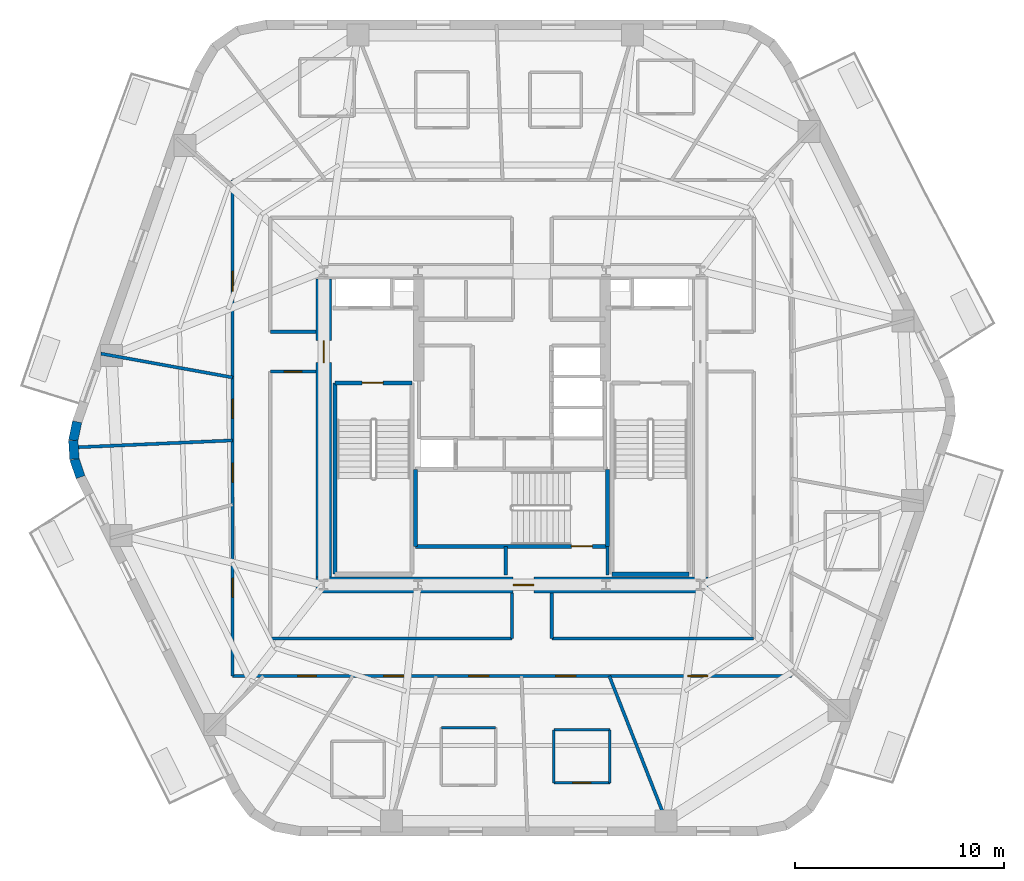
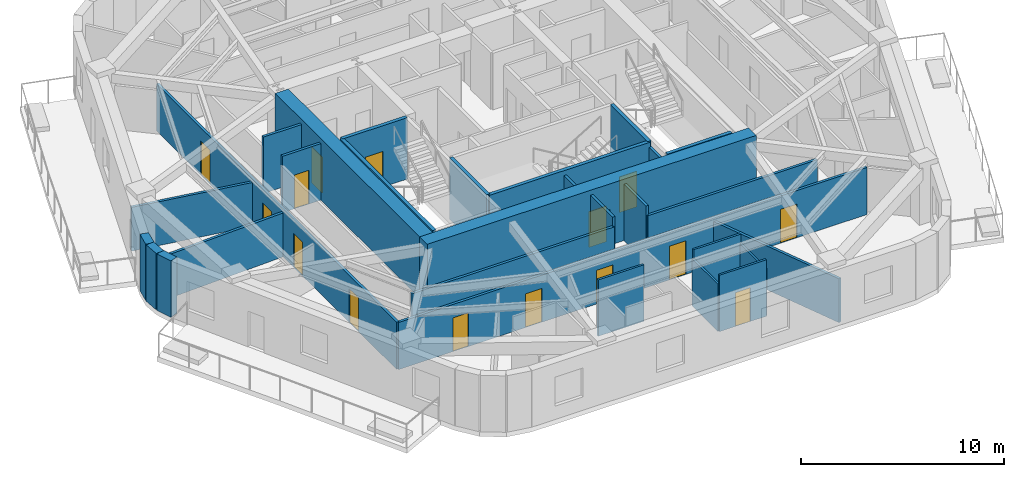
# One storey, part 3 of 10: 29 walls, 15 doors, 15 openings.
"""IFC4 building model written with IfcOpenShell, lengths in metres."""

from ifc_helpers import new_model, si_unit, direction, frame, frame_2d, origin, place, context, subcontext, project, spatial, rectangle, extrude, material, layer, layer_set, type_object, element, fill, save


model = new_model("IFC4")

# Units and contexts
model_context = context("Model", 3, precision=1e-05, world=origin(), true_north=direction((0.0, 1.0)))
body_context = subcontext(model_context, "Body", "Model", "MODEL_VIEW")
ifc_project = project(units=[si_unit("LENGTHUNIT", "METRE"), si_unit("AREAUNIT", "SQUARE_METRE"), si_unit("VOLUMEUNIT", "CUBIC_METRE"), si_unit("PLANEANGLEUNIT", "RADIAN"), si_unit("MASSUNIT", "GRAM", prefix="KILO")], contexts=[model_context])

# Site, building, storey
site_placement = place(None, origin())
site = spatial("IfcSite", under=ifc_project, at=site_placement, CompositionType="ELEMENT")
building_placement = place(site_placement, origin())
building = spatial("IfcBuilding", under=site, at=building_placement, Name="Kilnhurst Terrace Hotel", CompositionType="ELEMENT")
storey_placement = place(building_placement, frame((0.0, 0.0, 183.0)))
storey = spatial("IfcBuildingStorey", under=building, at=storey_placement, Name="L45", CompositionType="ELEMENT", Elevation=183.0)

# Walls
ifc_material_1 = material(Name="Precast concrete C40/50", Category="concrete")
ifc_layer_1 = layer(ifc_material_1, 0.449951171875, Name="Precast concrete C40/50")
ifc_layer_set_1 = layer_set([ifc_layer_1], Name="Precast concrete C40/50")
wall_type_1 = type_object("IfcWallType", Name="WL-BRK-450", PredefinedType="SOLIDWALL", material=ifc_layer_set_1)
wall_1_placement = place(storey_placement, frame((-20.78173828125, 0.298095703125, 0.0), z_axis=(0.0, 0.0, 1.0), x_axis=(-0.202570068411, -0.979267771033, 0.0)))
element("IfcWall", 1, at=wall_1_placement, inside=storey, type_object=wall_type_1, Name="L45 Rounded Corner Brick Wall C6.1", PredefinedType="SOLIDWALL", context=body_context, shape_type="SweptSolid", body=[
    extrude(rectangle(XDim=0.90869140625, YDim=0.449951171875, at=frame_2d((0.454345703125, 0.0))), origin(), (0.0, 0.0, 1.0), 3.39990234375),
])
wall_2_placement = place(storey_placement, frame((-20.9658203125, -0.591796875, 0.0), z_axis=(0.0, 0.0, 1.0), x_axis=(0.061748898935, -0.998091715966, 0.0)))
element("IfcWall", 2, at=wall_2_placement, inside=storey, type_object=wall_type_1, Name="L45 Rounded Corner Brick Wall C6.2", PredefinedType="SOLIDWALL", context=body_context, shape_type="SweptSolid", body=[
    extrude(rectangle(XDim=0.8935546875, YDim=0.449951171875, at=frame_2d((0.44677734375, 0.0))), origin(), (0.0, 0.0, 1.0), 3.39990234375),
])
wall_3_placement = place(storey_placement, frame((-20.91064453125, -1.483642578125, 0.0), z_axis=(0.0, 0.0, 1.0), x_axis=(0.321623334353, -0.946867694453, 0.0)))
element("IfcWall", 3, at=wall_3_placement, inside=storey, type_object=wall_type_1, Name="L45 Rounded Corner Brick Wall C6.3", PredefinedType="SOLIDWALL", context=body_context, shape_type="SweptSolid", body=[
    extrude(rectangle(XDim=0.90869140625, YDim=0.449951171875, at=frame_2d((0.454345703125, 0.0))), origin(), (0.0, 0.0, 1.0), 3.39990234375),
])

# Wall, openings, doors
ifc_material_2 = material(Name="Acoustic Double-Gypsum Corridor Partition Assembly")
ifc_layer_2 = layer(ifc_material_2, 0.14990234375, Name="Acoustic Double-Gypsum Corridor Partition Assembly")
ifc_layer_set_2 = layer_set([ifc_layer_2], Name="Acoustic Double-Gypsum Corridor Partition Assembly")
wall_type_2 = type_object("IfcWallType", Name="WL-COR-150", PredefinedType="PARTITIONING", material=ifc_layer_set_2)
wall_4_placement = place(storey_placement, frame((13.35009765625, -11.85009765625, 0.0), z_axis=(0.0, 0.0, 1.0), x_axis=(-1.0, 0.0, 0.0)))
wall_4 = element("IfcWall", 4, at=wall_4_placement, inside=storey, type_object=wall_type_2, Name="L45 Interior Wall WL-L45-COR-01", PredefinedType="PARTITIONING", context=body_context, shape_type="SweptSolid", body=[
    extrude(rectangle(XDim=26.7001953125, YDim=0.14990234375, at=frame_2d((13.35009765625, 0.0))), origin(), (0.0, 0.0, 1.0), 2.840087890625),
])
opening_1_placement = place(wall_4_placement, frame((22.699951171875, 0.0, 0.0)))
opening_1 = element("IfcOpeningElement", 5, at=opening_1_placement, cuts=wall_4, Name="Opening D-60C", PredefinedType="OPENING", context=body_context, shape_type="SweptSolid", body=[
    extrude(rectangle(XDim=0.89990234375, YDim=2.030029296875, at=frame_2d((0.449951171875, 1.01513671875))), frame((0.0, 0.0849609375, 0.0), z_axis=(0.0, -1.0, 0.0), x_axis=(1.0, 0.0, 0.0)), (0.0, 0.0, 1.0), 0.169921875),
])
opening_2_placement = place(wall_4_placement, frame((18.52294921875, 0.0, 0.0)))
opening_2 = element("IfcOpeningElement", 6, at=opening_2_placement, cuts=wall_4, Name="Opening D-60B", PredefinedType="OPENING", context=body_context, shape_type="SweptSolid", body=[
    extrude(rectangle(XDim=0.949951171875, YDim=2.030029296875, at=frame_2d((0.47509765625, 1.01513671875))), frame((0.0, 0.0849609375, 0.0), z_axis=(0.0, -1.0, 0.0), x_axis=(1.0, 0.0, 0.0)), (0.0, 0.0, 1.0), 0.169921875),
])
opening_3_placement = place(wall_4_placement, frame((14.468994140625, 0.0, 0.0)))
opening_3 = element("IfcOpeningElement", 7, at=opening_3_placement, cuts=wall_4, Name="Opening D-60B", PredefinedType="OPENING", context=body_context, shape_type="SweptSolid", body=[
    extrude(rectangle(XDim=0.949951171875, YDim=2.030029296875, at=frame_2d((0.47509765625, 1.01513671875))), frame((0.0, 0.0849609375, 0.0), z_axis=(0.0, -1.0, 0.0), x_axis=(1.0, 0.0, 0.0)), (0.0, 0.0, 1.0), 0.169921875),
])
opening_4_placement = place(wall_4_placement, frame((10.31396484375, 0.0, 0.0)))
opening_4 = element("IfcOpeningElement", 8, at=opening_4_placement, cuts=wall_4, Name="Opening D-60B", PredefinedType="OPENING", context=body_context, shape_type="SweptSolid", body=[
    extrude(rectangle(XDim=0.949951171875, YDim=2.030029296875, at=frame_2d((0.47509765625, 1.01513671875))), frame((0.0, 0.0849609375, 0.0), z_axis=(0.0, -1.0, 0.0), x_axis=(1.0, 0.0, 0.0)), (0.0, 0.0, 1.0), 0.169921875),
])
opening_5_placement = place(wall_4_placement, frame((3.9951171875, 0.0, 0.0)))
opening_5 = element("IfcOpeningElement", 9, at=opening_5_placement, cuts=wall_4, Name="Opening D-60B", PredefinedType="OPENING", context=body_context, shape_type="SweptSolid", body=[
    extrude(rectangle(XDim=0.949951171875, YDim=2.030029296875, at=frame_2d((0.47509765625, 1.01513671875))), frame((0.0, 0.0849609375, 0.0), z_axis=(0.0, -1.0, 0.0), x_axis=(1.0, 0.0, 0.0)), (0.0, 0.0, 1.0), 0.169921875),
])
ifc_material_3 = material(Name="Painted Solid-Core Service Fire Door")
door_type_1 = type_object("IfcDoorType", Name="DR-FD60-900", OperationType="NOTDEFINED", PredefinedType="DOOR", material=ifc_material_3)
door_1_placement = place(opening_1_placement, origin())
door_1 = element("IfcDoor", 10, at=door_1_placement, inside=storey, type_object=door_type_1, Name="L45 Executive Work Office Door 13", OperationType="SINGLE_SWING_LEFT", OverallHeight=2.030029296875, OverallWidth=0.89990234375, PredefinedType="DOOR", context=body_context, shape_type="SweptSolid", body=[
    extrude(rectangle(XDim=0.89990234375, YDim=2.030029296875, at=frame_2d((0.449951171875, 1.01513671875))), frame((0.0, 0.02490234375, 0.0), z_axis=(0.0, -1.0, 0.0), x_axis=(1.0, 0.0, 0.0)), (0.0, 0.0, 1.0), 0.050048828125),
])
fill(opening_1, door_1)
ifc_material_4 = material(Name="Acoustic Walnut Veneer Solid-Core Fire Door")
door_type_2 = type_object("IfcDoorType", Name="DR-FD60-950", OperationType="NOTDEFINED", PredefinedType="DOOR", material=ifc_material_4)
door_2_placement = place(opening_2_placement, origin())
door_2 = element("IfcDoor", 11, at=door_2_placement, inside=storey, type_object=door_type_2, Name="L45 Guest Room Entry Door 14", OperationType="SINGLE_SWING_RIGHT", OverallHeight=2.030029296875, OverallWidth=0.949951171875, PredefinedType="DOOR", context=body_context, shape_type="SweptSolid", body=[
    extrude(rectangle(XDim=0.949951171875, YDim=2.030029296875, at=frame_2d((0.47509765625, 1.01513671875))), frame((0.0, 0.02490234375, 0.0), z_axis=(0.0, -1.0, 0.0), x_axis=(1.0, 0.0, 0.0)), (0.0, 0.0, 1.0), 0.050048828125),
])
fill(opening_2, door_2)
door_3_placement = place(opening_3_placement, origin())
door_3 = element("IfcDoor", 12, at=door_3_placement, inside=storey, type_object=door_type_2, Name="L45 Guest Room Entry Door 15", OperationType="SINGLE_SWING_LEFT", OverallHeight=2.030029296875, OverallWidth=0.949951171875, PredefinedType="DOOR", context=body_context, shape_type="SweptSolid", body=[
    extrude(rectangle(XDim=0.949951171875, YDim=2.030029296875, at=frame_2d((0.47509765625, 1.01513671875))), frame((0.0, 0.02490234375, 0.0), z_axis=(0.0, -1.0, 0.0), x_axis=(1.0, 0.0, 0.0)), (0.0, 0.0, 1.0), 0.050048828125),
])
fill(opening_3, door_3)
door_4_placement = place(opening_4_placement, origin())
door_4 = element("IfcDoor", 13, at=door_4_placement, inside=storey, type_object=door_type_2, Name="L45 Guest Room Entry Door 16", OperationType="SINGLE_SWING_RIGHT", OverallHeight=2.030029296875, OverallWidth=0.949951171875, PredefinedType="DOOR", context=body_context, shape_type="SweptSolid", body=[
    extrude(rectangle(XDim=0.949951171875, YDim=2.030029296875, at=frame_2d((0.47509765625, 1.01513671875))), frame((0.0, 0.02490234375, 0.0), z_axis=(0.0, -1.0, 0.0), x_axis=(1.0, 0.0, 0.0)), (0.0, 0.0, 1.0), 0.050048828125),
])
fill(opening_4, door_4)
door_5_placement = place(opening_5_placement, origin())
door_5 = element("IfcDoor", 14, at=door_5_placement, inside=storey, type_object=door_type_2, Name="L45 Wellness Spa Room Door", OperationType="SINGLE_SWING_LEFT", OverallHeight=2.030029296875, OverallWidth=0.949951171875, PredefinedType="DOOR", context=body_context, shape_type="SweptSolid", body=[
    extrude(rectangle(XDim=0.949951171875, YDim=2.030029296875, at=frame_2d((0.47509765625, 1.01513671875))), frame((0.0, 0.02490234375, 0.0), z_axis=(0.0, -1.0, 0.0), x_axis=(1.0, 0.0, 0.0)), (0.0, 0.0, 1.0), 0.050048828125),
])
fill(opening_5, door_5)

wall_5_placement = place(storey_placement, frame((-13.35009765625, -11.85009765625, 0.0), z_axis=(0.0, 0.0, 1.0), x_axis=(0.0, 1.0, 0.0)))
wall_5 = element("IfcWall", 15, at=wall_5_placement, inside=storey, type_object=wall_type_2, Name="L45 Interior Wall WL-L45-COR-02", PredefinedType="PARTITIONING", context=body_context, shape_type="SweptSolid", body=[
    extrude(rectangle(XDim=23.7001953125, YDim=0.14990234375, at=frame_2d((11.85009765625, 0.0))), origin(), (0.0, 0.0, 1.0), 2.840087890625),
])
opening_6_placement = place(wall_5_placement, frame((18.388916015625, 0.0, 0.0)))
opening_6 = element("IfcOpeningElement", 16, at=opening_6_placement, cuts=wall_5, Name="Opening D-60B", PredefinedType="OPENING", context=body_context, shape_type="SweptSolid", body=[
    extrude(rectangle(XDim=0.949951171875, YDim=2.030029296875, at=frame_2d((0.47509765625, 1.01513671875))), frame((0.0, 0.0849609375, 0.0), z_axis=(0.0, -1.0, 0.0), x_axis=(1.0, 0.0, 0.0)), (0.0, 0.0, 1.0), 0.169921875),
])
opening_7_placement = place(wall_5_placement, frame((12.31494140625, 0.0, 0.0)))
opening_7 = element("IfcOpeningElement", 17, at=opening_7_placement, cuts=wall_5, Name="Opening D-60C", PredefinedType="OPENING", context=body_context, shape_type="SweptSolid", body=[
    extrude(rectangle(XDim=0.89990234375, YDim=2.030029296875, at=frame_2d((0.449951171875, 1.01513671875))), frame((0.0, 0.0849609375, 0.0), z_axis=(0.0, -1.0, 0.0), x_axis=(1.0, 0.0, 0.0)), (0.0, 0.0, 1.0), 0.169921875),
])
opening_8_placement = place(wall_5_placement, frame((9.27001953125, 0.0, 0.0)))
opening_8 = element("IfcOpeningElement", 18, at=opening_8_placement, cuts=wall_5, Name="Opening D-60C", PredefinedType="OPENING", context=body_context, shape_type="SweptSolid", body=[
    extrude(rectangle(XDim=0.89990234375, YDim=2.030029296875, at=frame_2d((0.449951171875, 1.01513671875))), frame((0.0, 0.0849609375, 0.0), z_axis=(0.0, -1.0, 0.0), x_axis=(1.0, 0.0, 0.0)), (0.0, 0.0, 1.0), 0.169921875),
])
opening_9_placement = place(wall_5_placement, frame((3.764892578125, 0.0, 0.0)))
opening_9 = element("IfcOpeningElement", 19, at=opening_9_placement, cuts=wall_5, Name="Opening D-60C", PredefinedType="OPENING", context=body_context, shape_type="SweptSolid", body=[
    extrude(rectangle(XDim=0.89990234375, YDim=2.030029296875, at=frame_2d((0.449951171875, 1.01513671875))), frame((0.0, 0.0849609375, 0.0), z_axis=(0.0, -1.0, 0.0), x_axis=(1.0, 0.0, 0.0)), (0.0, 0.0, 1.0), 0.169921875),
])
door_6_placement = place(opening_7_placement, origin())
door_6 = element("IfcDoor", 20, at=door_6_placement, inside=storey, type_object=door_type_1, Name="L45 Wellness Consultation Room Door 10", OperationType="SINGLE_SWING_RIGHT", OverallHeight=2.030029296875, OverallWidth=0.89990234375, PredefinedType="DOOR", context=body_context, shape_type="SweptSolid", body=[
    extrude(rectangle(XDim=0.89990234375, YDim=2.030029296875, at=frame_2d((0.449951171875, 1.01513671875))), frame((0.0, 0.02490234375, 0.0), z_axis=(0.0, -1.0, 0.0), x_axis=(1.0, 0.0, 0.0)), (0.0, 0.0, 1.0), 0.050048828125),
])
fill(opening_7, door_6)
door_7_placement = place(opening_8_placement, origin())
door_7 = element("IfcDoor", 21, at=door_7_placement, inside=storey, type_object=door_type_1, Name="L45 Private Tasting Dining Room Door 11", OperationType="SINGLE_SWING_LEFT", OverallHeight=2.030029296875, OverallWidth=0.89990234375, PredefinedType="DOOR", context=body_context, shape_type="SweptSolid", body=[
    extrude(rectangle(XDim=0.89990234375, YDim=2.030029296875, at=frame_2d((0.449951171875, 1.01513671875))), frame((0.0, 0.02490234375, 0.0), z_axis=(0.0, -1.0, 0.0), x_axis=(1.0, 0.0, 0.0)), (0.0, 0.0, 1.0), 0.050048828125),
])
fill(opening_8, door_7)
door_8_placement = place(opening_9_placement, origin())
door_8 = element("IfcDoor", 22, at=door_8_placement, inside=storey, type_object=door_type_1, Name="L45 Private Study Salon Door 12", OperationType="SINGLE_SWING_RIGHT", OverallHeight=2.030029296875, OverallWidth=0.89990234375, PredefinedType="DOOR", context=body_context, shape_type="SweptSolid", body=[
    extrude(rectangle(XDim=0.89990234375, YDim=2.030029296875, at=frame_2d((0.449951171875, 1.01513671875))), frame((0.0, 0.02490234375, 0.0), z_axis=(0.0, -1.0, 0.0), x_axis=(1.0, 0.0, 0.0)), (0.0, 0.0, 1.0), 0.050048828125),
])
fill(opening_9, door_8)
door_9_placement = place(opening_6_placement, origin())
door_9 = element("IfcDoor", 23, at=door_9_placement, inside=storey, type_object=door_type_2, Name="L45 Club Reading Lounge Door", OperationType="SINGLE_SWING_LEFT", OverallHeight=2.030029296875, OverallWidth=0.949951171875, PredefinedType="DOOR", context=body_context, shape_type="SweptSolid", body=[
    extrude(rectangle(XDim=0.949951171875, YDim=2.030029296875, at=frame_2d((0.47509765625, 1.01513671875))), frame((0.0, 0.02490234375, 0.0), z_axis=(0.0, -1.0, 0.0), x_axis=(1.0, 0.0, 0.0)), (0.0, 0.0, 1.0), 0.050048828125),
])
fill(opening_6, door_9)

# Wall
wall_6_placement = place(storey_placement, frame((-11.550048828125, 4.60009765625, 0.0), z_axis=(0.0, 0.0, 1.0), x_axis=(1.0, 0.0, 0.0)))
element("IfcWall", 24, at=wall_6_placement, inside=storey, type_object=wall_type_2, Name="L45 Interior Wall WL-L45-COR-14", PredefinedType="PARTITIONING", context=body_context, shape_type="SweptSolid", body=[
    extrude(rectangle(XDim=2.175048828125, YDim=0.14990234375, at=frame_2d((1.08740234375, 0.0))), origin(), (0.0, 0.0, 1.0), 3.39990234375),
])

# Wall, opening, door
wall_7_placement = place(storey_placement, frame((-9.375, 2.699951171875, 0.0), z_axis=(0.0, 0.0, 1.0), x_axis=(-1.0, 0.0, 0.0)))
wall_7 = element("IfcWall", 25, at=wall_7_placement, inside=storey, type_object=wall_type_2, Name="L45 Interior Wall WL-L45-COR-15", PredefinedType="PARTITIONING", context=body_context, shape_type="SweptSolid", body=[
    extrude(rectangle(XDim=2.175048828125, YDim=0.14990234375, at=frame_2d((1.08740234375, 0.0))), origin(), (0.0, 0.0, 1.0), 3.39990234375),
])
opening_10_placement = place(wall_7_placement, frame((0.6630859375, 0.0, 0.0)))
opening_10 = element("IfcOpeningElement", 26, at=opening_10_placement, cuts=wall_7, Name="Opening D-60D", PredefinedType="OPENING", context=body_context, shape_type="SweptSolid", body=[
    extrude(rectangle(XDim=0.85009765625, YDim=2.030029296875, at=frame_2d((0.425048828125, 1.01513671875))), frame((0.0, 0.0849609375, 0.0), z_axis=(0.0, -1.0, 0.0), x_axis=(1.0, 0.0, 0.0)), (0.0, 0.0, 1.0), 0.169921875),
])
ifc_material_5 = material(Name="Painted Hollow Metal Steel ASTM A36 Riser Door", Category="steel")
door_type_3 = type_object("IfcDoorType", Name="DR-FD60-850", OperationType="NOTDEFINED", PredefinedType="DOOR", material=ifc_material_5)
door_10_placement = place(opening_10_placement, origin())
door_10 = element("IfcDoor", 27, at=door_10_placement, inside=storey, type_object=door_type_3, Name="L45 Floor Linen Storage Room Door", OperationType="SINGLE_SWING_LEFT", OverallHeight=2.030029296875, OverallWidth=0.85009765625, PredefinedType="DOOR", context=body_context, shape_type="SweptSolid", body=[
    extrude(rectangle(XDim=0.85009765625, YDim=2.030029296875, at=frame_2d((0.425048828125, 1.01513671875))), frame((0.0, 0.02490234375, 0.0), z_axis=(0.0, -1.0, 0.0), x_axis=(1.0, 0.0, 0.0)), (0.0, 0.0, 1.0), 0.050048828125),
])
fill(opening_10, door_10)

# Walls
wall_8_placement = place(storey_placement, frame((-11.550048828125, -10.050048828125, 0.0), z_axis=(0.0, 0.0, 1.0), x_axis=(1.0, 0.0, 0.0)))
element("IfcWall", 28, at=wall_8_placement, inside=storey, type_object=wall_type_2, Name="L45 Interior Wall WL-L45-COR-17", PredefinedType="PARTITIONING", context=body_context, shape_type="SweptSolid", body=[
    extrude(rectangle(XDim=11.550048828125, YDim=0.14990234375, at=frame_2d((5.77490234375, 0.0))), origin(), (0.0, 0.0, 1.0), 2.840087890625),
])
for number, where, z_axis, x_axis, name in (
    (29, (0.0, -10.050048828125, 0.0), (0.0, 0.0, 1.0), (0.0, 1.0, 0.0), "L45 Interior Wall WL-L45-COR-18"),
    (30, (1.89990234375, -7.875, 0.0), (0.0, 0.0, 1.0), (0.0, -1.0, 0.0), "L45 Interior Wall WL-L45-COR-19"),
):
    element("IfcWall", number, at=place(storey_placement, frame(where, z_axis=z_axis, x_axis=x_axis)), inside=storey, type_object=wall_type_2, Name=name, PredefinedType="PARTITIONING", context=body_context, shape_type="SweptSolid", body=[
        extrude(rectangle(XDim=2.175048828125, YDim=0.14990234375, at=frame_2d((1.08740234375, 0.0))), origin(), (0.0, 0.0, 1.0), 3.39990234375),
    ])
wall_9_placement = place(storey_placement, frame((1.89990234375, -10.050048828125, 0.0), z_axis=(0.0, 0.0, 1.0), x_axis=(1.0, 0.0, 0.0)))
element("IfcWall", 31, at=wall_9_placement, inside=storey, type_object=wall_type_2, Name="L45 Interior Wall WL-L45-COR-20", PredefinedType="PARTITIONING", context=body_context, shape_type="SweptSolid", body=[
    extrude(rectangle(XDim=9.650146484375, YDim=0.14990234375, at=frame_2d((4.8251953125, 0.0))), origin(), (0.0, 0.0, 1.0), 2.840087890625),
])

# Wall, opening, door
ifc_material_6 = material(Name="Concrete C60/75", Category="concrete")
ifc_layer_3 = layer(ifc_material_6, 0.75, Name="Concrete C60/75")
ifc_layer_set_3 = layer_set([ifc_layer_3], Name="Concrete C60/75")
wall_type_3 = type_object("IfcWallType", Name="WL-CORE-750", PredefinedType="SHEAR", material=ifc_layer_set_3)
wall_10_placement = place(storey_placement, frame((-9.375, -7.5, 0.0), z_axis=(0.0, 0.0, 1.0), x_axis=(1.0, 0.0, 0.0)))
wall_10 = element("IfcWall", 32, at=wall_10_placement, inside=storey, type_object=wall_type_3, Name="L45 Core South Shear Wall", PredefinedType="SHEAR", context=body_context, shape_type="SweptSolid", body=[
    extrude(rectangle(XDim=18.75, YDim=0.75, at=frame_2d((9.375, 0.0))), origin(), (0.0, 0.0, 1.0), 3.699951171875),
])
opening_11_placement = place(wall_10_placement, frame((9.425048828125, 0.0, 0.0)))
opening_11 = element("IfcOpeningElement", 33, at=opening_11_placement, cuts=wall_10, Name="Opening D-90B", PredefinedType="OPENING", context=body_context, shape_type="SweptSolid", body=[
    extrude(rectangle(XDim=1.0, YDim=2.14990234375, at=frame_2d((0.5, 1.074951171875))), frame((0.0, 0.385009765625, 0.0), z_axis=(0.0, -1.0, 0.0), x_axis=(1.0, 0.0, 0.0)), (0.0, 0.0, 1.0), 0.77001953125),
])
ifc_material_7 = material(Name="Painted Hollow Metal Steel ASTM A36 Fire Door", Category="steel")
door_type_4 = type_object("IfcDoorType", Name="DR-FD90-1000", OperationType="NOTDEFINED", PredefinedType="DOOR", material=ifc_material_7)
door_11_placement = place(opening_11_placement, origin())
door_11 = element("IfcDoor", 34, at=door_11_placement, inside=storey, type_object=door_type_4, Name="L45 Stair ST-3 Corridor Door", OperationType="SINGLE_SWING_RIGHT", OverallHeight=2.14990234375, OverallWidth=1.0, PredefinedType="DOOR", context=body_context, shape_type="SweptSolid", body=[
    extrude(rectangle(XDim=1.0, YDim=2.14990234375, at=frame_2d((0.5, 1.074951171875))), frame((0.0, 0.02490234375, 0.0), z_axis=(0.0, -1.0, 0.0), x_axis=(1.0, 0.0, 0.0)), (0.0, 0.0, 1.0), 0.050048828125),
])
fill(opening_11, door_11)

wall_11_placement = place(storey_placement, frame((-9.0, -7.125, 0.0), z_axis=(0.0, 0.0, 1.0), x_axis=(0.0, 1.0, 0.0)))
wall_11 = element("IfcWall", 35, at=wall_11_placement, inside=storey, type_object=wall_type_3, Name="L45 Core West Shear Wall", PredefinedType="SHEAR", context=body_context, shape_type="SweptSolid", body=[
    extrude(rectangle(XDim=14.25, YDim=0.75, at=frame_2d((7.125, 0.0))), origin(), (0.0, 0.0, 1.0), 3.699951171875),
])
opening_12_placement = place(wall_11_placement, frame((10.25, 0.0, 0.0)))
opening_12 = element("IfcOpeningElement", 36, at=opening_12_placement, cuts=wall_11, Name="Opening D-90A", PredefinedType="OPENING", context=body_context, shape_type="SweptSolid", body=[
    extrude(rectangle(XDim=1.050048828125, YDim=2.14990234375, at=frame_2d((0.52490234375, 1.074951171875))), frame((0.0, 0.385009765625, 0.0), z_axis=(0.0, -1.0, 0.0), x_axis=(1.0, 0.0, 0.0)), (0.0, 0.0, 1.0), 0.77001953125),
])
door_type_5 = type_object("IfcDoorType", Name="DR-FD90-1050", OperationType="NOTDEFINED", PredefinedType="DOOR", material=ifc_material_7)
door_12_placement = place(opening_12_placement, origin())
door_12 = element("IfcDoor", 37, at=door_12_placement, inside=storey, type_object=door_type_5, Name="L45 West Firefighting Lobby Door", OperationType="SINGLE_SWING_RIGHT", OverallHeight=2.14990234375, OverallWidth=1.050048828125, PredefinedType="DOOR", context=body_context, shape_type="SweptSolid", body=[
    extrude(rectangle(XDim=1.050048828125, YDim=2.14990234375, at=frame_2d((0.52490234375, 1.074951171875))), frame((0.0, 0.02490234375, 0.0), z_axis=(0.0, -1.0, 0.0), x_axis=(1.0, 0.0, 0.0)), (0.0, 0.0, 1.0), 0.050048828125),
])
fill(opening_12, door_12)

# Walls
ifc_material_8 = material(Name="STC-58 Acoustic Twin-Frame Guestroom Demising Partition")
ifc_layer_4 = layer(ifc_material_8, 0.14990234375, Name="STC-58 Acoustic Twin-Frame Guestroom Demising Partition")
ifc_layer_set_4 = layer_set([ifc_layer_4], Name="STC-58 Acoustic Twin-Frame Guestroom Demising Partition")
wall_type_4 = type_object("IfcWallType", Name="WL-DEM-150", PredefinedType="PARTITIONING", material=ifc_layer_set_4)
wall_12_placement = place(storey_placement, frame((-13.35009765625, 2.417236328125, 0.0), z_axis=(0.0, 0.0, 1.0), x_axis=(-0.98399796473, 0.178179699761, 0.0)))
element("IfcWall", 38, at=wall_12_placement, inside=storey, type_object=wall_type_4, Name="L45 Interior Wall WL-L45-DEM-COL06-10-1", PredefinedType="PARTITIONING", context=body_context, shape_type="SweptSolid", body=[
    extrude(rectangle(XDim=6.393310546875, YDim=0.14990234375, at=frame_2d((3.19677734375, 0.0))), origin(), (0.0, 0.0, 1.0), 2.639892578125),
])
wall_13_placement = place(storey_placement, frame((-13.35009765625, -0.591064453125, 0.0), z_axis=(0.0, 0.0, 1.0), x_axis=(-0.999020359631, -0.044252921296, 0.0)))
element("IfcWall", 39, at=wall_13_placement, inside=storey, type_object=wall_type_4, Name="L45 Interior Wall WL-L45-DEM-MID06-11-1", PredefinedType="PARTITIONING", context=body_context, shape_type="SweptSolid", body=[
    extrude(rectangle(XDim=7.4423828125, YDim=0.14990234375, at=frame_2d((3.72119140625, 0.0))), origin(), (0.0, 0.0, 1.0), 2.639892578125),
])
wall_14_placement = place(storey_placement, frame((4.64990234375, -11.85009765625, 0.0), z_axis=(0.0, 0.0, 1.0), x_axis=(0.365265947993, -0.930903210456, 0.0)))
element("IfcWall", 40, at=wall_14_placement, inside=storey, type_object=wall_type_4, Name="L45 Interior Wall WL-L45-DEM-COL10-17-1", PredefinedType="PARTITIONING", context=body_context, shape_type="SweptSolid", body=[
    extrude(rectangle(XDim=7.975830078125, YDim=0.14990234375, at=frame_2d((3.98779296875, 0.0))), origin(), (0.0, 0.0, 1.0), 2.639892578125),
])
ifc_material_9 = material(Name="120 mm Moisture-Resistant Tile-Backed Bathroom Partition")
ifc_layer_5 = layer(ifc_material_9, 0.1201171875, Name="120 mm Moisture-Resistant Tile-Backed Bathroom Partition")
ifc_layer_set_5 = layer_set([ifc_layer_5], Name="120 mm Moisture-Resistant Tile-Backed Bathroom Partition")
wall_type_5 = type_object("IfcWallType", Name="WL-PART-120", PredefinedType="PARTITIONING", material=ifc_layer_set_5)
wall_15_placement = place(storey_placement, frame((-0.780029296875, -14.31298828125, 0.0), z_axis=(0.0, 0.0, 1.0), x_axis=(-1.0, 0.0, 0.0)))
element("IfcWall", 41, at=wall_15_placement, inside=storey, type_object=wall_type_5, Name="L45 Interior Wall WL-L45-BTH-15-3", PredefinedType="PARTITIONING", context=body_context, shape_type="SweptSolid", body=[
    extrude(rectangle(XDim=2.599853515625, YDim=0.1201171875, at=frame_2d((1.2998046875, 0.0))), origin(), (0.0, 0.0, 1.0), 3.39990234375),
])

# Wall, opening, door
wall_16_placement = place(storey_placement, frame((2.0, -16.9580078125, 0.0), z_axis=(0.0, 0.0, 1.0), x_axis=(1.0, 0.0, 0.0)))
wall_16 = element("IfcWall", 42, at=wall_16_placement, inside=storey, type_object=wall_type_5, Name="L45 Interior Wall WL-L45-BTH-16-1", PredefinedType="PARTITIONING", context=body_context, shape_type="SweptSolid", body=[
    extrude(rectangle(XDim=2.679931640625, YDim=0.1201171875, at=frame_2d((1.33984375, 0.0))), origin(), (0.0, 0.0, 1.0), 3.39990234375),
])
opening_13_placement = place(wall_16_placement, frame((0.9150390625, 0.0, 0.0)))
opening_13 = element("IfcOpeningElement", 43, at=opening_13_placement, cuts=wall_16, Name="Opening D-08A", PredefinedType="OPENING", context=body_context, shape_type="SweptSolid", body=[
    extrude(rectangle(XDim=0.85009765625, YDim=2.030029296875, at=frame_2d((0.425048828125, 1.01513671875))), frame((0.0, 0.070068359375, 0.0), z_axis=(0.0, -1.0, 0.0), x_axis=(1.0, 0.0, 0.0)), (0.0, 0.0, 1.0), 0.14013671875),
])
ifc_material_10 = material(Name="Moisture-Resistant Lacquered En-suite Bathroom Door")
door_type_6 = type_object("IfcDoorType", Name="DR-INT-850", OperationType="NOTDEFINED", PredefinedType="DOOR", material=ifc_material_10)
door_13_placement = place(opening_13_placement, origin())
door_13 = element("IfcDoor", 44, at=door_13_placement, inside=storey, type_object=door_type_6, Name="L45 En-suite Bathroom Door 16", OperationType="SINGLE_SWING_LEFT", OverallHeight=2.030029296875, OverallWidth=0.85009765625, PredefinedType="DOOR", context=body_context, shape_type="SweptSolid", body=[
    extrude(rectangle(XDim=0.85009765625, YDim=2.030029296875, at=frame_2d((0.425048828125, 1.01513671875))), frame((0.0, 0.02490234375, 0.0), z_axis=(0.0, -1.0, 0.0), x_axis=(1.0, 0.0, 0.0)), (0.0, 0.0, 1.0), 0.050048828125),
])
fill(opening_13, door_13)

# Walls
wall_17_placement = place(storey_placement, frame((4.679931640625, -16.9580078125, 0.0), z_axis=(0.0, 0.0, 1.0), x_axis=(0.0, 1.0, 0.0)))
element("IfcWall", 45, at=wall_17_placement, inside=storey, type_object=wall_type_5, Name="L45 Interior Wall WL-L45-BTH-16-2", PredefinedType="PARTITIONING", context=body_context, shape_type="SweptSolid", body=[
    extrude(rectangle(XDim=2.5400390625, YDim=0.1201171875, at=frame_2d((1.27001953125, 0.0))), origin(), (0.0, 0.0, 1.0), 2.840576171875),
])
wall_18_placement = place(storey_placement, frame((4.679931640625, -14.41796875, 0.0), z_axis=(0.0, 0.0, 1.0), x_axis=(-1.0, 0.0, 0.0)))
element("IfcWall", 46, at=wall_18_placement, inside=storey, type_object=wall_type_5, Name="L45 Interior Wall WL-L45-BTH-16-3", PredefinedType="PARTITIONING", context=body_context, shape_type="SweptSolid", body=[
    extrude(rectangle(XDim=2.679931640625, YDim=0.1201171875, at=frame_2d((1.33984375, 0.0))), origin(), (0.0, 0.0, 1.0), 3.39990234375),
])
wall_19_placement = place(storey_placement, frame((2.0, -14.41796875, 0.0), z_axis=(0.0, 0.0, 1.0), x_axis=(0.0, -1.0, 0.0)))
element("IfcWall", 47, at=wall_19_placement, inside=storey, type_object=wall_type_5, Name="L45 Interior Wall WL-L45-BTH-16-4", PredefinedType="PARTITIONING", context=body_context, shape_type="SweptSolid", body=[
    extrude(rectangle(XDim=2.5400390625, YDim=0.1201171875, at=frame_2d((1.27001953125, 0.0))), origin(), (0.0, 0.0, 1.0), 2.840576171875),
])
ifc_material_11 = material(Name="Fire-Rated Gypsum Shaftliner Assembly")
ifc_layer_6 = layer(ifc_material_11, 0.14990234375, Name="Fire-Rated Gypsum Shaftliner Assembly")
ifc_layer_set_6 = layer_set([ifc_layer_6], Name="Fire-Rated Gypsum Shaftliner Assembly")
wall_type_6 = type_object("IfcWallType", Name="WL-SHAFT-150", PredefinedType="PARTITIONING", material=ifc_layer_set_6)
for number, where, z_axis, x_axis, name in (
    (48, (-0.300048828125, -7.02001953125, 0.0), (0.0, 0.0, 1.0), (0.0, 1.0, 0.0), "L45 Interior Wall WL-L45-ST3-PSGW"),
    (49, (4.55810546875, -7.02001953125, 0.0), (0.0, 0.0, 1.0), (0.0, 1.0, 0.0), "L45 Interior Wall WL-L45-ST3-PSGE"),
):
    element("IfcWall", number, at=place(storey_placement, frame(where, z_axis=z_axis, x_axis=x_axis)), inside=storey, type_object=wall_type_6, Name=name, PredefinedType="PARTITIONING", context=body_context, shape_type="SweptSolid", body=[
        extrude(rectangle(XDim=1.362060546875, YDim=0.14990234375, at=frame_2d((0.68115234375, 0.0))), origin(), (0.0, 0.0, 1.0), 3.39990234375),
    ])
ifc_material_12 = material(Name="Concrete C50/60", Category="concrete")
ifc_layer_7 = layer(ifc_material_12, 0.199951171875, Name="Concrete C50/60")
ifc_layer_set_7 = layer_set([ifc_layer_7], Name="Concrete C50/60")
wall_type_7 = type_object("IfcWallType", Name="WL-STAIR-RC-200", PredefinedType="SHEAR", material=ifc_layer_set_7)
wall_20_placement = place(storey_placement, frame((-8.4580078125, -6.985107421875, 0.0), z_axis=(0.0, 0.0, 1.0), x_axis=(0.0, 1.0, 0.0)))
element("IfcWall", 50, at=wall_20_placement, inside=storey, type_object=wall_type_7, Name="L45 Structural Stair Shaft Wall WL-L45-ST1-W", PredefinedType="SHEAR", context=body_context, shape_type="SweptSolid", body=[
    extrude(rectangle(XDim=9.14306640625, YDim=0.199951171875, at=frame_2d((4.571533203125, 0.0))), origin(), (0.0, 0.0, 1.0), 3.699951171875),
])

# Wall, opening, door
wall_21_placement = place(storey_placement, frame((-8.4580078125, 2.157958984375, 0.0), z_axis=(0.0, 0.0, 1.0), x_axis=(1.0, 0.0, 0.0)))
wall_21 = element("IfcWall", 51, at=wall_21_placement, inside=storey, type_object=wall_type_7, Name="L45 Structural Stair Shaft Wall WL-L45-ST1-N", PredefinedType="SHEAR", context=body_context, shape_type="SweptSolid", body=[
    extrude(rectangle(XDim=3.68603515625, YDim=0.199951171875, at=frame_2d((1.843017578125, 0.0))), origin(), (0.0, 0.0, 1.0), 3.699951171875),
])
opening_14_placement = place(wall_21_placement, frame((1.300048828125, 0.0, 0.0)))
opening_14 = element("IfcOpeningElement", 52, at=opening_14_placement, cuts=wall_21, Name="Opening D-90B", PredefinedType="OPENING", context=body_context, shape_type="SweptSolid", body=[
    extrude(rectangle(XDim=1.0, YDim=2.14990234375, at=frame_2d((0.5, 1.074951171875))), frame((0.0, 0.10986328125, 0.0), z_axis=(0.0, -1.0, 0.0), x_axis=(1.0, 0.0, 0.0)), (0.0, 0.0, 1.0), 0.219970703125),
])
door_14_placement = place(opening_14_placement, origin())
door_14 = element("IfcDoor", 53, at=door_14_placement, inside=storey, type_object=door_type_4, Name="L45 Stair ST-1 Door", OperationType="SINGLE_SWING_LEFT", OverallHeight=2.14990234375, OverallWidth=1.0, PredefinedType="DOOR", context=body_context, shape_type="SweptSolid", body=[
    extrude(rectangle(XDim=1.0, YDim=2.14990234375, at=frame_2d((0.5, 1.074951171875))), frame((0.0, 0.02490234375, 0.0), z_axis=(0.0, -1.0, 0.0), x_axis=(1.0, 0.0, 0.0)), (0.0, 0.0, 1.0), 0.050048828125),
])
fill(opening_14, door_14)

# Walls
for number, where, z_axis, x_axis, name in (
    (54, (4.77197265625, -6.985107421875, 0.0), (0.0, 0.0, 1.0), (1.0, 0.0, 0.0), "L45 Structural Stair Shaft Wall WL-L45-ST2-S"),
    (55, (-4.60791015625, -5.657958984375, 0.0), (0.0, 0.0, 1.0), (0.0, 1.0, 0.0), "L45 Structural Stair Shaft Wall WL-L45-ST3-W"),
):
    element("IfcWall", number, at=place(storey_placement, frame(where, z_axis=z_axis, x_axis=x_axis)), inside=storey, type_object=wall_type_7, Name=name, PredefinedType="SHEAR", context=body_context, shape_type="SweptSolid", body=[
        extrude(rectangle(XDim=3.68603515625, YDim=0.199951171875, at=frame_2d((1.843017578125, 0.0))), origin(), (0.0, 0.0, 1.0), 3.699951171875),
    ])

# Wall, opening, door
wall_22_placement = place(storey_placement, frame((-4.60791015625, -5.657958984375, 0.0), z_axis=(0.0, 0.0, 1.0), x_axis=(1.0, 0.0, 0.0)))
wall_22 = element("IfcWall", 56, at=wall_22_placement, inside=storey, type_object=wall_type_7, Name="L45 Structural Stair Shaft Wall WL-L45-ST3-S", PredefinedType="SHEAR", context=body_context, shape_type="SweptSolid", body=[
    extrude(rectangle(XDim=9.166015625, YDim=0.199951171875, at=frame_2d((4.5830078125, 0.0))), origin(), (0.0, 0.0, 1.0), 3.699951171875),
])
opening_15_placement = place(wall_22_placement, frame((7.449951171875, 0.0, 0.0)))
opening_15 = element("IfcOpeningElement", 57, at=opening_15_placement, cuts=wall_22, Name="Opening D-90B", PredefinedType="OPENING", context=body_context, shape_type="SweptSolid", body=[
    extrude(rectangle(XDim=1.0, YDim=2.14990234375, at=frame_2d((0.5, 1.074951171875))), frame((0.0, 0.10986328125, 0.0), z_axis=(0.0, -1.0, 0.0), x_axis=(1.0, 0.0, 0.0)), (0.0, 0.0, 1.0), 0.219970703125),
])
door_15_placement = place(opening_15_placement, origin())
door_15 = element("IfcDoor", 58, at=door_15_placement, inside=storey, type_object=door_type_4, Name="L45 Stair ST-3 Shaft Door", OperationType="SINGLE_SWING_LEFT", OverallHeight=2.14990234375, OverallWidth=1.0, PredefinedType="DOOR", context=body_context, shape_type="SweptSolid", body=[
    extrude(rectangle(XDim=1.0, YDim=2.14990234375, at=frame_2d((0.5, 1.074951171875))), frame((0.0, 0.02490234375, 0.0), z_axis=(0.0, -1.0, 0.0), x_axis=(1.0, 0.0, 0.0)), (0.0, 0.0, 1.0), 0.050048828125),
])
fill(opening_15, door_15)

# Wall
wall_23_placement = place(storey_placement, frame((4.55810546875, -5.657958984375, 0.0), z_axis=(0.0, 0.0, 1.0), x_axis=(0.0, 1.0, 0.0)))
element("IfcWall", 59, at=wall_23_placement, inside=storey, type_object=wall_type_7, Name="L45 Structural Stair Shaft Wall WL-L45-ST3-E", PredefinedType="SHEAR", context=body_context, shape_type="SweptSolid", body=[
    extrude(rectangle(XDim=3.68603515625, YDim=0.199951171875, at=frame_2d((1.843017578125, 0.0))), origin(), (0.0, 0.0, 1.0), 3.699951171875),
])

save(model, "model.ifc")
